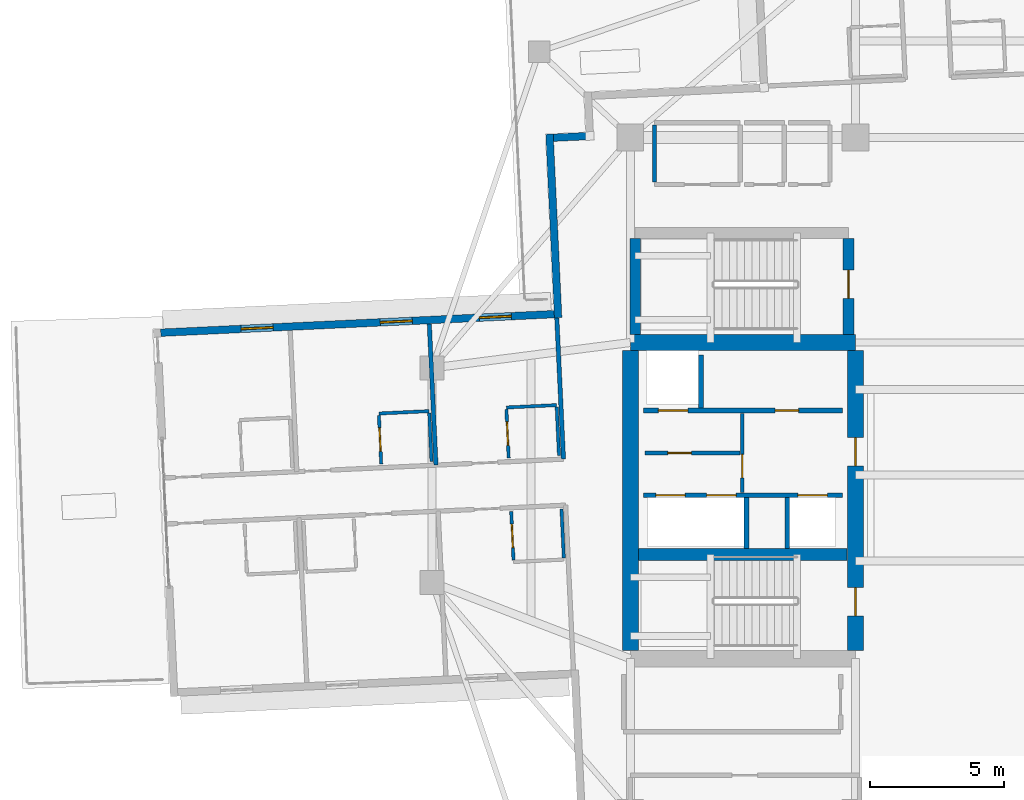
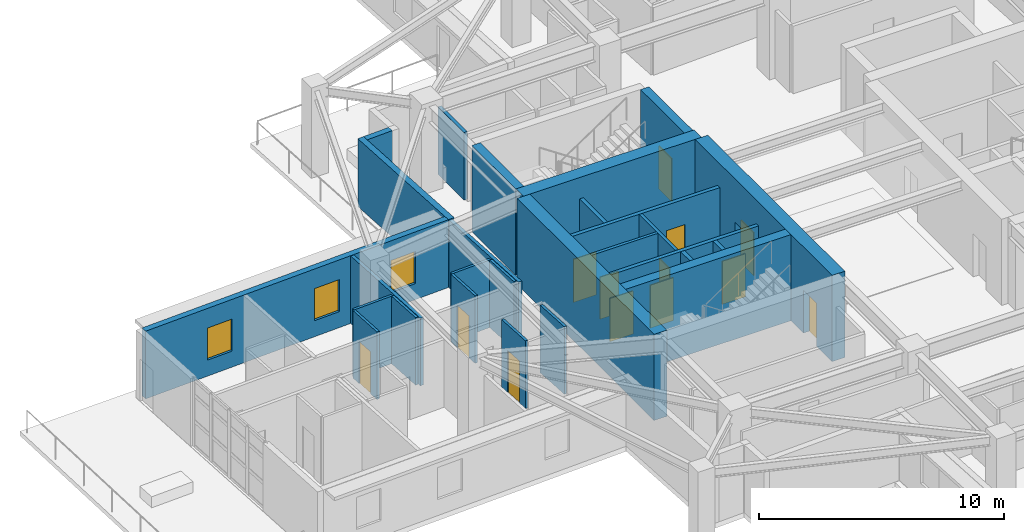
# One storey, part 13 of 22: 27 walls, 13 doors, 3 windows, 16 openings.
"""IFC4 building model written with IfcOpenShell, lengths in metres."""

from ifc_helpers import new_model, si_unit, direction, frame, frame_2d, origin, place, context, subcontext, project, spatial, rectangle, extrude, material, layer, layer_set, type_object, element, fill, save


model = new_model("IFC4")

# Units and contexts
model_context = context("Model", 3, precision=1e-05, world=origin(), true_north=direction((0.0, 1.0)))
body_context = subcontext(model_context, "Body", "Model", "MODEL_VIEW")
ifc_project = project(units=[si_unit("LENGTHUNIT", "METRE"), si_unit("AREAUNIT", "SQUARE_METRE"), si_unit("VOLUMEUNIT", "CUBIC_METRE"), si_unit("PLANEANGLEUNIT", "RADIAN"), si_unit("MASSUNIT", "GRAM", prefix="KILO")], contexts=[model_context])

# Site, building, storey
site_placement = place(None, origin())
site = spatial("IfcSite", under=ifc_project, at=site_placement, CompositionType="ELEMENT")
building_placement = place(site_placement, origin())
building = spatial("IfcBuilding", under=site, at=building_placement, Name="Qingluan Cross Belvedere", CompositionType="ELEMENT")
storey_placement = place(building_placement, frame((0.0, 0.0, 196.800048828125)))
storey = spatial("IfcBuildingStorey", under=building, at=storey_placement, Name="L49", CompositionType="ELEMENT", Elevation=196.800048828125)

# Walls
ifc_material_1 = material(Name="Concrete C50", Category="concrete")
ifc_layer_1 = layer(ifc_material_1, 0.449951171875, Name="CoreShearWall_450")
ifc_layer_set_1 = layer_set([ifc_layer_1], Name="Concrete C50")
wall_type_1 = type_object("IfcWallType", Name="CoreShearWall_450", PredefinedType="SHEAR", material=ifc_layer_set_1)
wall_1_placement = place(storey_placement, frame((-12.094970703125, -2.9599609375, 0.0), z_axis=(0.0, 0.0, 1.0), x_axis=(1.0, 0.0, 0.0)))
element("IfcWall", 1, at=wall_1_placement, inside=storey, type_object=wall_type_1, Name="Split core W shear wall L49-M", PredefinedType="SHEAR", context=body_context, shape_type="SweptSolid", body=[
    extrude(rectangle(XDim=7.7900390625, YDim=0.449951171875, at=frame_2d((3.89501953125, 0.0))), origin(), (0.0, 0.0, 1.0), 4.300048828125),
])
wall_2_placement = place(storey_placement, frame((-12.219970703125, 5.2548828125, 0.0), z_axis=(0.0, 0.0, 1.0), x_axis=(0.0, 1.0, 0.0)))
element("IfcWall", 2, at=wall_2_placement, inside=storey, type_object=wall_type_1, Name="Stair ST3 structural wall W L49", PredefinedType="SHEAR", context=body_context, shape_type="SweptSolid", body=[
    extrude(rectangle(XDim=3.580078125, YDim=0.39990234375, at=frame_2d((1.7900390625, 0.0))), origin(), (0.0, 0.0, 1.0), 4.300048828125),
])

# Wall, opening, door
wall_3_placement = place(storey_placement, frame((-4.260009765625, 5.2548828125, 0.0), z_axis=(0.0, 0.0, 1.0), x_axis=(0.0, 1.0, 0.0)))
wall_3 = element("IfcWall", 3, at=wall_3_placement, inside=storey, type_object=wall_type_1, Name="Stair ST3 structural wall E L49", PredefinedType="SHEAR", context=body_context, shape_type="SweptSolid", body=[
    extrude(rectangle(XDim=3.580078125, YDim=0.39990234375, at=frame_2d((1.7900390625, 0.0))), origin(), (0.0, 0.0, 1.0), 4.300048828125),
])
opening_1_placement = place(wall_3_placement, frame((1.344970703125, 0.0, 0.0)))
opening_1 = element("IfcOpeningElement", 4, at=opening_1_placement, cuts=wall_3, Name="Opening FD-B11", PredefinedType="OPENING", context=body_context, shape_type="SweptSolid", body=[
    extrude(rectangle(XDim=1.050048828125, YDim=2.14990234375, at=frame_2d((0.52490234375, 1.074951171875))), frame((0.0, 0.2099609375, 0.0), z_axis=(0.0, -1.0, 0.0), x_axis=(1.0, 0.0, 0.0)), (0.0, 0.0, 1.0), 0.419921875),
])
ifc_material_2 = material(Name="Steel Class B smoke-seal fire door", Category="steel")
door_type_1 = type_object("IfcDoorType", Name="StairLobbyFireDoor_FDB", OperationType="NOTDEFINED", PredefinedType="DOOR", material=ifc_material_2)
door_1_placement = place(opening_1_placement, origin())
door_1 = element("IfcDoor", 5, at=door_1_placement, inside=storey, type_object=door_type_1, Name="Smoke-proof stair ST3 fire door L49", OperationType="SINGLE_SWING_LEFT", OverallHeight=2.14990234375, OverallWidth=1.050048828125, PredefinedType="DOOR", context=body_context, shape_type="SweptSolid", body=[
    extrude(rectangle(XDim=1.050048828125, YDim=2.14990234375, at=frame_2d((0.52490234375, 1.074951171875))), frame((0.0, 0.02490234375, 0.0), z_axis=(0.0, -1.0, 0.0), x_axis=(1.0, 0.0, 0.0)), (0.0, 0.0, 1.0), 0.050048828125),
])
fill(opening_1, door_1)

# Walls
ifc_material_3 = material(Name="Concrete C60", Category="concrete")
ifc_layer_2 = layer(ifc_material_3, 0.60009765625, Name="CoreShearWall_600")
ifc_layer_set_2 = layer_set([ifc_layer_2], Name="Concrete C60")
wall_type_2 = type_object("IfcWallType", Name="CoreShearWall_600", PredefinedType="SHEAR", material=ifc_layer_set_2)
wall_4_placement = place(storey_placement, frame((-12.39990234375, 4.949951171875, 0.0), z_axis=(0.0, 0.0, 1.0), x_axis=(1.0, 0.0, 0.0)))
element("IfcWall", 6, at=wall_4_placement, inside=storey, type_object=wall_type_2, Name="Split core W shear wall L49-N", PredefinedType="SHEAR", context=body_context, shape_type="SweptSolid", body=[
    extrude(rectangle(XDim=8.39990234375, YDim=0.60009765625, at=frame_2d((4.199951171875, 0.0))), origin(), (0.0, 0.0, 1.0), 4.300048828125),
])
wall_5_placement = place(storey_placement, frame((-12.39990234375, -6.544921875, 0.0), z_axis=(0.0, 0.0, 1.0), x_axis=(0.0, 1.0, 0.0)))
element("IfcWall", 7, at=wall_5_placement, inside=storey, type_object=wall_type_2, Name="Split core W shear wall L49-W", PredefinedType="SHEAR", context=body_context, shape_type="SweptSolid", body=[
    extrude(rectangle(XDim=11.18994140625, YDim=0.60009765625, at=frame_2d((5.594970703125, 0.0))), origin(), (0.0, 0.0, 1.0), 4.300048828125),
])

# Wall, openings, doors
wall_6_placement = place(storey_placement, frame((-4.0, -6.544921875, 0.0), z_axis=(0.0, 0.0, 1.0), x_axis=(0.0, 1.0, 0.0)))
wall_6 = element("IfcWall", 8, at=wall_6_placement, inside=storey, type_object=wall_type_2, Name="Split core W shear wall L49-E", PredefinedType="SHEAR", context=body_context, shape_type="SweptSolid", body=[
    extrude(rectangle(XDim=11.18994140625, YDim=0.60009765625, at=frame_2d((5.594970703125, 0.0))), origin(), (0.0, 0.0, 1.0), 4.300048828125),
])
opening_2_placement = place(wall_6_placement, frame((1.294921875, 0.0, 0.0)))
opening_2 = element("IfcOpeningElement", 9, at=opening_2_placement, cuts=wall_6, Name="Opening FD-B11", PredefinedType="OPENING", context=body_context, shape_type="SweptSolid", body=[
    extrude(rectangle(XDim=1.050048828125, YDim=2.14990234375, at=frame_2d((0.52490234375, 1.074951171875))), frame((0.0, 0.31005859375, 0.0), z_axis=(0.0, -1.0, 0.0), x_axis=(1.0, 0.0, 0.0)), (0.0, 0.0, 1.0), 0.6201171875),
])
opening_3_placement = place(wall_6_placement, frame((6.89501953125, 0.0, 0.0)))
opening_3 = element("IfcOpeningElement", 10, at=opening_3_placement, cuts=wall_6, Name="Opening FD-B11", PredefinedType="OPENING", context=body_context, shape_type="SweptSolid", body=[
    extrude(rectangle(XDim=1.050048828125, YDim=2.14990234375, at=frame_2d((0.52490234375, 1.074951171875))), frame((0.0, 0.31005859375, 0.0), z_axis=(0.0, -1.0, 0.0), x_axis=(1.0, 0.0, 0.0)), (0.0, 0.0, 1.0), 0.6201171875),
])
door_2_placement = place(opening_2_placement, origin())
door_2 = element("IfcDoor", 11, at=door_2_placement, inside=storey, type_object=door_type_1, Name="Smoke-proof stair ST1 fire door L49", OperationType="SINGLE_SWING_LEFT", OverallHeight=2.14990234375, OverallWidth=1.050048828125, PredefinedType="DOOR", context=body_context, shape_type="SweptSolid", body=[
    extrude(rectangle(XDim=1.050048828125, YDim=2.14990234375, at=frame_2d((0.52490234375, 1.074951171875))), frame((0.0, 0.02490234375, 0.0), z_axis=(0.0, -1.0, 0.0), x_axis=(1.0, 0.0, 0.0)), (0.0, 0.0, 1.0), 0.050048828125),
])
fill(opening_2, door_2)
door_3_placement = place(opening_3_placement, origin())
door_3 = element("IfcDoor", 12, at=door_3_placement, inside=storey, type_object=door_type_1, Name="Firefighting lobby West fire door L49", OperationType="SINGLE_SWING_LEFT", OverallHeight=2.14990234375, OverallWidth=1.050048828125, PredefinedType="DOOR", context=body_context, shape_type="SweptSolid", body=[
    extrude(rectangle(XDim=1.050048828125, YDim=2.14990234375, at=frame_2d((0.52490234375, 1.074951171875))), frame((0.0, 0.02490234375, 0.0), z_axis=(0.0, -1.0, 0.0), x_axis=(1.0, 0.0, 0.0)), (0.0, 0.0, 1.0), 0.050048828125),
])
fill(opening_3, door_3)

# Wall, opening, door
ifc_material_4 = material(Name="Gypsum plasterboard on steel stud acoustic partition", Category="steel")
ifc_layer_3 = layer(ifc_material_4, 0.159912109375, Name="CorridorPartition_160")
ifc_layer_set_3 = layer_set([ifc_layer_3], Name="Gypsum plasterboard on steel stud acoustic partition")
wall_type_3 = type_object("IfcWallType", Name="CorridorPartition_160", PredefinedType="PARTITIONING", material=ifc_layer_set_3)
wall_7_placement = place(storey_placement, frame((-11.85009765625, 0.830078125, 0.0), z_axis=(0.0, 0.0, 1.0), x_axis=(1.0, 0.0, 0.0)))
wall_7 = element("IfcWall", 13, at=wall_7_placement, inside=storey, type_object=wall_type_3, Name="Partition L49:w", PredefinedType="PARTITIONING", context=body_context, shape_type="SweptSolid", body=[
    extrude(rectangle(XDim=3.552001953125, YDim=0.139892578125, at=frame_2d((1.77587890625, 0.0))), origin(), (0.0, 0.0, 1.0), 3.369873046875),
])
opening_4_placement = place(wall_7_placement, frame((0.85009765625, 0.0, 0.0)))
opening_4 = element("IfcOpeningElement", 14, at=opening_4_placement, cuts=wall_7, Name="Opening FD-B10", PredefinedType="OPENING", context=body_context, shape_type="SweptSolid", body=[
    extrude(rectangle(XDim=0.8798828125, YDim=2.10009765625, at=frame_2d((0.43994140625, 1.050048828125))), frame((0.0, 0.079833984375, 0.0), z_axis=(0.0, -1.0, 0.0), x_axis=(1.0, 0.0, 0.0)), (0.0, 0.0, 1.0), 0.159912109375),
])
ifc_material_5 = material(Name="Steel Class B service fire door", Category="steel")
door_type_2 = type_object("IfcDoorType", Name="RiserServiceFireDoor_FDB", OperationType="NOTDEFINED", PredefinedType="DOOR", material=ifc_material_5)
door_4_placement = place(opening_4_placement, origin())
door_4 = element("IfcDoor", 15, at=door_4_placement, inside=storey, type_object=door_type_2, Name="Service closet inner door L49", OperationType="SINGLE_SWING_RIGHT", OverallHeight=2.10009765625, OverallWidth=0.8798828125, PredefinedType="DOOR", context=body_context, shape_type="SweptSolid", body=[
    extrude(rectangle(XDim=0.8798828125, YDim=2.10009765625, at=frame_2d((0.43994140625, 1.050048828125))), frame((0.0, 0.02490234375, 0.0), z_axis=(0.0, -1.0, 0.0), x_axis=(1.0, 0.0, 0.0)), (0.0, 0.0, 1.0), 0.050048828125),
])
fill(opening_4, door_4)

# Walls
wall_8_placement = place(storey_placement, frame((-11.5, 10.93505859375, 0.0), z_axis=(0.0, 0.0, 1.0), x_axis=(0.0, 1.0, 0.0)))
element("IfcWall", 16, at=wall_8_placement, inside=storey, type_object=wall_type_3, Name="Partition L49:q_nw_occ:W", PredefinedType="PARTITIONING", context=body_context, shape_type="SweptSolid", body=[
    extrude(rectangle(XDim=2.1298828125, YDim=0.159912109375, at=frame_2d((1.06494140625, 0.0))), origin(), (0.0, 0.0, 1.0), 3.369873046875),
])
for number, where, z_axis, x_axis, name in (
    (17, (-14.894775390625, 0.59912109375, 0.0), (0.0, 0.0, 1.0), (-0.047096498845, 0.99889034423, 0.0), "Partition L49:W:s0"),
    (18, (-19.652587890625, 0.374755859375, 0.0), (0.0, 0.0, 1.0), (-0.047096498845, 0.99889034423, 0.0), "Partition L49:W:d0_0"),
):
    element("IfcWall", number, at=place(storey_placement, frame(where, z_axis=z_axis, x_axis=x_axis)), inside=storey, type_object=wall_type_3, Name=name, PredefinedType="PARTITIONING", context=body_context, shape_type="SweptSolid", body=[
        extrude(rectangle(XDim=5.27197265625, YDim=0.159912109375, at=frame_2d((2.635986328125, 0.0))), origin(), (0.0, 0.0, 1.0), 3.369873046875),
    ])

# Wall, opening, door
ifc_material_6 = material(Name="Moisture-resistant gypsum board lining")
ifc_layer_4 = layer(ifc_material_6, 0.1201171875, Name="EnsuiteWetPartition_120")
ifc_layer_set_4 = layer_set([ifc_layer_4], Name="Moisture-resistant gypsum board lining")
wall_type_4 = type_object("IfcWallType", Name="EnsuiteWetPartition_120", PredefinedType="PARTITIONING", material=ifc_layer_set_4)
wall_9_placement = place(storey_placement, frame((-16.939208984375, 0.642822265625, 0.0), z_axis=(0.0, 0.0, 1.0), x_axis=(-0.047087116047, 0.998890786574, 0.0)))
wall_9 = element("IfcWall", 19, at=wall_9_placement, inside=storey, type_object=wall_type_4, Name="Partition L49:W:bs0_0", PredefinedType="PARTITIONING", context=body_context, shape_type="SweptSolid", body=[
    extrude(rectangle(XDim=1.81982421875, YDim=0.1201171875, at=frame_2d((0.909912109375, 0.0))), origin(), (0.0, 0.0, 1.0), 3.369873046875),
])
opening_5_placement = place(wall_9_placement, frame((0.469970703125, 0.0, 0.0)))
opening_5 = element("IfcOpeningElement", 20, at=opening_5_placement, cuts=wall_9, Name="Opening BD-09", PredefinedType="OPENING", context=body_context, shape_type="SweptSolid", body=[
    extrude(rectangle(XDim=0.8798828125, YDim=2.10009765625, at=frame_2d((0.43994140625, 1.050048828125))), frame((0.0, 0.070068359375, 0.0), z_axis=(0.0, -1.0, 0.0), x_axis=(1.0, 0.0, 0.0)), (0.0, 0.0, 1.0), 0.14013671875),
])
ifc_material_7 = material(Name="Moisture-sealed timber en-suite door", Category="wood")
door_type_3 = type_object("IfcDoorType", Name="BathroomDoor_880", OperationType="NOTDEFINED", PredefinedType="DOOR", material=ifc_material_7)
door_5_placement = place(opening_5_placement, origin())
door_5 = element("IfcDoor", 21, at=door_5_placement, inside=storey, type_object=door_type_3, Name="Bathroom door 4907", OperationType="SINGLE_SWING_LEFT", OverallHeight=2.10009765625, OverallWidth=0.8798828125, PredefinedType="DOOR", context=body_context, shape_type="SweptSolid", body=[
    extrude(rectangle(XDim=0.8798828125, YDim=2.10009765625, at=frame_2d((0.43994140625, 1.050048828125))), frame((0.0, 0.02490234375, 0.0), z_axis=(0.0, -1.0, 0.0), x_axis=(1.0, 0.0, 0.0)), (0.0, 0.0, 1.0), 0.050048828125),
])
fill(opening_5, door_5)

# Walls
wall_10_placement = place(storey_placement, frame((-15.061279296875, 0.731201171875, 0.0), z_axis=(0.0, 0.0, 1.0), x_axis=(-0.047080807099, 0.998891083954, 0.0)))
element("IfcWall", 22, at=wall_10_placement, inside=storey, type_object=wall_type_4, Name="Partition L49:W:bw0_0", PredefinedType="PARTITIONING", context=body_context, shape_type="SweptSolid", body=[
    extrude(rectangle(XDim=1.820068359375, YDim=0.1201171875, at=frame_2d((0.91015625, 0.0))), origin(), (0.0, 0.0, 1.0), 3.369873046875),
])
wall_11_placement = place(storey_placement, frame((-15.14990234375, 2.6142578125, 0.0), z_axis=(0.0, 0.0, 1.0), x_axis=(-0.998888319371, -0.047139425368, 0.0)))
element("IfcWall", 23, at=wall_11_placement, inside=storey, type_object=wall_type_4, Name="Partition L49:W:bn0_0", PredefinedType="PARTITIONING", context=body_context, shape_type="SweptSolid", body=[
    extrude(rectangle(XDim=1.880126953125, YDim=0.1201171875, at=frame_2d((0.93994140625, 0.0))), origin(), (0.0, 0.0, 1.0), 3.369873046875),
])

# Wall, opening, door
wall_12_placement = place(storey_placement, frame((-21.69677734375, 0.41845703125, 0.0), z_axis=(0.0, 0.0, 1.0), x_axis=(-0.047087116047, 0.998890786574, 0.0)))
wall_12 = element("IfcWall", 24, at=wall_12_placement, inside=storey, type_object=wall_type_4, Name="Partition L49:W:bs0_1", PredefinedType="PARTITIONING", context=body_context, shape_type="SweptSolid", body=[
    extrude(rectangle(XDim=1.81982421875, YDim=0.1201171875, at=frame_2d((0.909912109375, 0.0))), origin(), (0.0, 0.0, 1.0), 3.369873046875),
])
opening_6_placement = place(wall_12_placement, frame((0.469970703125, 0.0, 0.0)))
opening_6 = element("IfcOpeningElement", 25, at=opening_6_placement, cuts=wall_12, Name="Opening BD-09", PredefinedType="OPENING", context=body_context, shape_type="SweptSolid", body=[
    extrude(rectangle(XDim=0.8798828125, YDim=2.10009765625, at=frame_2d((0.43994140625, 1.050048828125))), frame((0.0, 0.070068359375, 0.0), z_axis=(0.0, -1.0, 0.0), x_axis=(1.0, 0.0, 0.0)), (0.0, 0.0, 1.0), 0.14013671875),
])
door_6_placement = place(opening_6_placement, origin())
door_6 = element("IfcDoor", 26, at=door_6_placement, inside=storey, type_object=door_type_3, Name="Bathroom door 4908", OperationType="SINGLE_SWING_LEFT", OverallHeight=2.10009765625, OverallWidth=0.8798828125, PredefinedType="DOOR", context=body_context, shape_type="SweptSolid", body=[
    extrude(rectangle(XDim=0.8798828125, YDim=2.10009765625, at=frame_2d((0.43994140625, 1.050048828125))), frame((0.0, 0.02490234375, 0.0), z_axis=(0.0, -1.0, 0.0), x_axis=(1.0, 0.0, 0.0)), (0.0, 0.0, 1.0), 0.050048828125),
])
fill(opening_6, door_6)

# Walls
wall_13_placement = place(storey_placement, frame((-19.81884765625, 0.507080078125, 0.0), z_axis=(0.0, 0.0, 1.0), x_axis=(-0.047087116047, 0.998890786574, 0.0)))
element("IfcWall", 27, at=wall_13_placement, inside=storey, type_object=wall_type_4, Name="Partition L49:W:bw0_1", PredefinedType="PARTITIONING", context=body_context, shape_type="SweptSolid", body=[
    extrude(rectangle(XDim=1.81982421875, YDim=0.1201171875, at=frame_2d((0.909912109375, 0.0))), origin(), (0.0, 0.0, 1.0), 3.369873046875),
])
wall_14_placement = place(storey_placement, frame((-19.90771484375, 2.389892578125, 0.0), z_axis=(0.0, 0.0, 1.0), x_axis=(-0.998888319371, -0.047139425368, 0.0)))
element("IfcWall", 28, at=wall_14_placement, inside=storey, type_object=wall_type_4, Name="Partition L49:W:bn0_1", PredefinedType="PARTITIONING", context=body_context, shape_type="SweptSolid", body=[
    extrude(rectangle(XDim=1.880126953125, YDim=0.1201171875, at=frame_2d((0.93994140625, 0.0))), origin(), (0.0, 0.0, 1.0), 3.369873046875),
])

# Wall, opening, door
wall_15_placement = place(storey_placement, frame((-16.759033203125, -3.173095703125, 0.0), z_axis=(0.0, 0.0, 1.0), x_axis=(-0.047214641863, 0.998884766924, 0.0)))
wall_15 = element("IfcWall", 29, at=wall_15_placement, inside=storey, type_object=wall_type_4, Name="Partition L49:W:bs1_0", PredefinedType="PARTITIONING", context=body_context, shape_type="SweptSolid", body=[
    extrude(rectangle(XDim=1.820068359375, YDim=0.1201171875, at=frame_2d((0.91015625, 0.0))), origin(), (0.0, 0.0, 1.0), 3.369873046875),
])
opening_7_placement = place(wall_15_placement, frame((0.469970703125, 0.0, 0.0)))
opening_7 = element("IfcOpeningElement", 30, at=opening_7_placement, cuts=wall_15, Name="Opening BD-09", PredefinedType="OPENING", context=body_context, shape_type="SweptSolid", body=[
    extrude(rectangle(XDim=0.8798828125, YDim=2.10009765625, at=frame_2d((0.43994140625, 1.050048828125))), frame((0.0, 0.070068359375, 0.0), z_axis=(0.0, -1.0, 0.0), x_axis=(1.0, 0.0, 0.0)), (0.0, 0.0, 1.0), 0.14013671875),
])
door_7_placement = place(opening_7_placement, origin())
door_7 = element("IfcDoor", 31, at=door_7_placement, inside=storey, type_object=door_type_3, Name="Bathroom door 4910", OperationType="SINGLE_SWING_LEFT", OverallHeight=2.10009765625, OverallWidth=0.8798828125, PredefinedType="DOOR", context=body_context, shape_type="SweptSolid", body=[
    extrude(rectangle(XDim=0.8798828125, YDim=2.10009765625, at=frame_2d((0.43994140625, 1.050048828125))), frame((0.0, 0.02490234375, 0.0), z_axis=(0.0, -1.0, 0.0), x_axis=(1.0, 0.0, 0.0)), (0.0, 0.0, 1.0), 0.050048828125),
])
fill(opening_7, door_7)

# Wall
wall_16_placement = place(storey_placement, frame((-14.881103515625, -3.08447265625, 0.0), z_axis=(0.0, 0.0, 1.0), x_axis=(-0.047214641863, 0.998884766924, 0.0)))
element("IfcWall", 32, at=wall_16_placement, inside=storey, type_object=wall_type_4, Name="Partition L49:W:bw1_0", PredefinedType="PARTITIONING", context=body_context, shape_type="SweptSolid", body=[
    extrude(rectangle(XDim=1.820068359375, YDim=0.1201171875, at=frame_2d((0.91015625, 0.0))), origin(), (0.0, 0.0, 1.0), 3.369873046875),
])

# Wall, openings, windows
ifc_material_8 = material(Name="Precast concrete C45", Category="concrete")
ifc_layer_5 = layer(ifc_material_8, 0.280029296875, Name="PrecastFacadeWall_280")
ifc_layer_set_5 = layer_set([ifc_layer_5], Name="Precast concrete C45")
wall_type_5 = type_object("IfcWallType", Name="PrecastFacadeWall_280", PredefinedType="STANDARD", material=ifc_layer_set_5)
wall_17_placement = place(storey_placement, frame((-15.239990234375, 6.0087890625, 0.0), z_axis=(0.0, 0.0, 1.0), x_axis=(-0.998890124275, -0.047101163748, 0.0)))
wall_17 = element("IfcWall", 33, at=wall_17_placement, inside=storey, type_object=wall_type_5, Name="Facade wall L49-WA", PredefinedType="STANDARD", context=body_context, shape_type="SweptSolid", body=[
    extrude(rectangle(XDim=14.699951171875, YDim=0.280029296875, at=frame_2d((7.35009765625, 0.0))), origin(), (0.0, 0.0, 1.0), 3.3798828125),
])
opening_8_placement = place(wall_17_placement, frame((1.60009765625, 0.0, 0.800048828125)))
opening_8 = element("IfcOpeningElement", 34, at=opening_8_placement, cuts=wall_17, Name="Opening W-02", PredefinedType="OPENING", context=body_context, shape_type="SweptSolid", body=[
    extrude(rectangle(XDim=1.199951171875, YDim=1.60009765625, at=frame_2d((0.60009765625, 0.800048828125))), frame((0.0, 0.14990234375, 0.0), z_axis=(0.0, -1.0, 0.0), x_axis=(1.0, 0.0, 0.0)), (0.0, 0.0, 1.0), 0.300048828125),
])
opening_9_placement = place(wall_17_placement, frame((5.300048828125, 0.0, 0.800048828125)))
opening_9 = element("IfcOpeningElement", 35, at=opening_9_placement, cuts=wall_17, Name="Opening W-02", PredefinedType="OPENING", context=body_context, shape_type="SweptSolid", body=[
    extrude(rectangle(XDim=1.199951171875, YDim=1.60009765625, at=frame_2d((0.60009765625, 0.800048828125))), frame((0.0, 0.14990234375, 0.0), z_axis=(0.0, -1.0, 0.0), x_axis=(1.0, 0.0, 0.0)), (0.0, 0.0, 1.0), 0.300048828125),
])
opening_10_placement = place(wall_17_placement, frame((10.5, 0.0, 0.800048828125)))
opening_10 = element("IfcOpeningElement", 36, at=opening_10_placement, cuts=wall_17, Name="Opening W-02", PredefinedType="OPENING", context=body_context, shape_type="SweptSolid", body=[
    extrude(rectangle(XDim=1.199951171875, YDim=1.60009765625, at=frame_2d((0.60009765625, 0.800048828125))), frame((0.0, 0.14990234375, 0.0), z_axis=(0.0, -1.0, 0.0), x_axis=(1.0, 0.0, 0.0)), (0.0, 0.0, 1.0), 0.300048828125),
])
ifc_material_9 = material(Name="Thermally broken triple Low-E glass in aluminium frame", Category="aluminium")
window_type = type_object("IfcWindowType", Name="TriRibbonWin_1200x1600", PartitioningType="SINGLE_PANEL", PredefinedType="WINDOW", material=ifc_material_9)
window_1_placement = place(opening_8_placement, origin())
window_1 = element("IfcWindow", 37, at=window_1_placement, inside=storey, type_object=window_type, Name="Ribbon window L49-WA-1", OverallHeight=1.60009765625, OverallWidth=1.199951171875, PartitioningType="SINGLE_PANEL", PredefinedType="WINDOW", context=body_context, shape_type="SweptSolid", body=[
    extrude(rectangle(XDim=1.199951171875, YDim=1.60009765625, at=frame_2d((0.60009765625, 0.800048828125))), frame((0.0, 0.030029296875, 0.0), z_axis=(0.0, -1.0, 0.0), x_axis=(1.0, 0.0, 0.0)), (0.0, 0.0, 1.0), 0.06005859375),
])
fill(opening_8, window_1)
window_2_placement = place(opening_9_placement, origin())
window_2 = element("IfcWindow", 38, at=window_2_placement, inside=storey, type_object=window_type, Name="Ribbon window L49-WA-2", OverallHeight=1.60009765625, OverallWidth=1.199951171875, PartitioningType="SINGLE_PANEL", PredefinedType="WINDOW", context=body_context, shape_type="SweptSolid", body=[
    extrude(rectangle(XDim=1.199951171875, YDim=1.60009765625, at=frame_2d((0.60009765625, 0.800048828125))), frame((0.0, 0.030029296875, 0.0), z_axis=(0.0, -1.0, 0.0), x_axis=(1.0, 0.0, 0.0)), (0.0, 0.0, 1.0), 0.06005859375),
])
fill(opening_9, window_2)
window_3_placement = place(opening_10_placement, origin())
window_3 = element("IfcWindow", 39, at=window_3_placement, inside=storey, type_object=window_type, Name="Ribbon window L49-WA-3", OverallHeight=1.60009765625, OverallWidth=1.199951171875, PartitioningType="SINGLE_PANEL", PredefinedType="WINDOW", context=body_context, shape_type="SweptSolid", body=[
    extrude(rectangle(XDim=1.199951171875, YDim=1.60009765625, at=frame_2d((0.60009765625, 0.800048828125))), frame((0.0, 0.030029296875, 0.0), z_axis=(0.0, -1.0, 0.0), x_axis=(1.0, 0.0, 0.0)), (0.0, 0.0, 1.0), 0.06005859375),
])
fill(opening_10, window_3)

# Walls
wall_18_placement = place(storey_placement, frame((-15.093505859375, 5.87548828125, 0.0), z_axis=(0.0, 0.0, 1.0), x_axis=(-0.04712043756, 0.998889215261, 0.0)))
element("IfcWall", 40, at=wall_18_placement, inside=storey, type_object=wall_type_5, Name="Corner wall L49-NW1", PredefinedType="STANDARD", context=body_context, shape_type="SweptSolid", body=[
    extrude(rectangle(XDim=6.85986328125, YDim=0.280029296875, at=frame_2d((3.429931640625, 0.0))), origin(), (0.0, 0.0, 1.0), 3.3798828125),
])
wall_19_placement = place(storey_placement, frame((-15.270263671875, 12.5947265625, 0.0), z_axis=(0.0, 0.0, 1.0), x_axis=(0.998893795343, 0.047023245574, 0.0)))
element("IfcWall", 41, at=wall_19_placement, inside=storey, type_object=wall_type_5, Name="Corner wall L49-NW2", PredefinedType="STANDARD", context=body_context, shape_type="SweptSolid", body=[
    extrude(rectangle(XDim=1.22021484375, YDim=0.280029296875, at=frame_2d((0.610107421875, 0.0))), origin(), (0.0, 0.0, 1.0), 3.3798828125),
])

# Wall, openings, doors
ifc_material_10 = material(Name="Concrete C40", Category="concrete")
ifc_layer_6 = layer(ifc_material_10, 0.219970703125, Name="ShaftEnclosureWall_250")
ifc_layer_set_6 = layer_set([ifc_layer_6], Name="Concrete C40")
wall_type_6 = type_object("IfcWallType", Name="ShaftEnclosureWall_250", PredefinedType="SOLIDWALL", material=ifc_layer_set_6)
wall_20_placement = place(storey_placement, frame((-11.89990234375, 2.409912109375, 0.0), z_axis=(0.0, 0.0, 1.0), x_axis=(1.0, 0.0, 0.0)))
wall_20 = element("IfcWall", 42, at=wall_20_placement, inside=storey, type_object=wall_type_6, Name="Core-W north hoistway wall L49", PredefinedType="SOLIDWALL", context=body_context, shape_type="SweptSolid", body=[
    extrude(rectangle(XDim=7.419921875, YDim=0.179931640625, at=frame_2d((3.7099609375, 0.0))), origin(), (0.0, 0.0, 1.0), 3.369873046875),
])
opening_11_placement = place(wall_20_placement, frame((0.550048828125, 0.0, 0.0)))
opening_11 = element("IfcOpeningElement", 43, at=opening_11_placement, cuts=wall_20, Name="Opening LD-11", PredefinedType="OPENING", context=body_context, shape_type="SweptSolid", body=[
    extrude(rectangle(XDim=1.10009765625, YDim=2.14990234375, at=frame_2d((0.550048828125, 1.074951171875))), frame((0.0, 0.099853515625, 0.0), z_axis=(0.0, -1.0, 0.0), x_axis=(1.0, 0.0, 0.0)), (0.0, 0.0, 1.0), 0.199951171875),
])
opening_12_placement = place(wall_20_placement, frame((4.89990234375, 0.0, 0.0)))
opening_12 = element("IfcOpeningElement", 44, at=opening_12_placement, cuts=wall_20, Name="Opening FD-B10", PredefinedType="OPENING", context=body_context, shape_type="SweptSolid", body=[
    extrude(rectangle(XDim=0.8798828125, YDim=2.10009765625, at=frame_2d((0.43994140625, 1.050048828125))), frame((0.0, 0.099853515625, 0.0), z_axis=(0.0, -1.0, 0.0), x_axis=(1.0, 0.0, 0.0)), (0.0, 0.0, 1.0), 0.199951171875),
])
ifc_material_11 = material(Name="Brushed stainless steel centre-opening lift landing door", Category="steel")
door_type_4 = type_object("IfcDoorType", Name="LiftLandingSlidingDoor_1100", OperationType="DOUBLE_DOOR_SLIDING", PredefinedType="DOOR", material=ifc_material_11)
door_8_placement = place(opening_11_placement, origin())
door_8 = element("IfcDoor", 45, at=door_8_placement, inside=storey, type_object=door_type_4, Name="Lift landing sliding door FL1 L49", OperationType="DOUBLE_DOOR_SLIDING", OverallHeight=2.14990234375, OverallWidth=1.10009765625, PredefinedType="DOOR", context=body_context, shape_type="SweptSolid", body=[
    extrude(rectangle(XDim=1.10009765625, YDim=2.14990234375, at=frame_2d((0.550048828125, 1.074951171875))), frame((0.0, 0.02490234375, 0.0), z_axis=(0.0, -1.0, 0.0), x_axis=(1.0, 0.0, 0.0)), (0.0, 0.0, 1.0), 0.050048828125),
])
fill(opening_11, door_8)
door_9_placement = place(opening_12_placement, origin())
door_9 = element("IfcDoor", 46, at=door_9_placement, inside=storey, type_object=door_type_2, Name="Housekeeping supply room door W L49", OperationType="SINGLE_SWING_RIGHT", OverallHeight=2.10009765625, OverallWidth=0.8798828125, PredefinedType="DOOR", context=body_context, shape_type="SweptSolid", body=[
    extrude(rectangle(XDim=0.8798828125, YDim=2.10009765625, at=frame_2d((0.43994140625, 1.050048828125))), frame((0.0, 0.02490234375, 0.0), z_axis=(0.0, -1.0, 0.0), x_axis=(1.0, 0.0, 0.0)), (0.0, 0.0, 1.0), 0.050048828125),
])
fill(opening_12, door_9)

wall_21_placement = place(storey_placement, frame((-11.89990234375, -0.75, 0.0), z_axis=(0.0, 0.0, 1.0), x_axis=(1.0, 0.0, 0.0)))
wall_21 = element("IfcWall", 47, at=wall_21_placement, inside=storey, type_object=wall_type_6, Name="Core-W mid hoistway wall L49", PredefinedType="SOLIDWALL", context=body_context, shape_type="SweptSolid", body=[
    extrude(rectangle(XDim=7.419921875, YDim=0.179931640625, at=frame_2d((3.7099609375, 0.0))), origin(), (0.0, 0.0, 1.0), 3.369873046875),
])
opening_13_placement = place(wall_21_placement, frame((0.449951171875, 0.0, 0.0)))
opening_13 = element("IfcOpeningElement", 48, at=opening_13_placement, cuts=wall_21, Name="Opening LD-11", PredefinedType="OPENING", context=body_context, shape_type="SweptSolid", body=[
    extrude(rectangle(XDim=1.10009765625, YDim=2.14990234375, at=frame_2d((0.550048828125, 1.074951171875))), frame((0.0, 0.099853515625, 0.0), z_axis=(0.0, -1.0, 0.0), x_axis=(1.0, 0.0, 0.0)), (0.0, 0.0, 1.0), 0.199951171875),
])
opening_14_placement = place(wall_21_placement, frame((2.35009765625, 0.0, 0.0)))
opening_14 = element("IfcOpeningElement", 49, at=opening_14_placement, cuts=wall_21, Name="Opening LD-11", PredefinedType="OPENING", context=body_context, shape_type="SweptSolid", body=[
    extrude(rectangle(XDim=1.10009765625, YDim=2.14990234375, at=frame_2d((0.550048828125, 1.074951171875))), frame((0.0, 0.099853515625, 0.0), z_axis=(0.0, -1.0, 0.0), x_axis=(1.0, 0.0, 0.0)), (0.0, 0.0, 1.0), 0.199951171875),
])
opening_15_placement = place(wall_21_placement, frame((5.75, 0.0, 0.0)))
opening_15 = element("IfcOpeningElement", 50, at=opening_15_placement, cuts=wall_21, Name="Opening LD-11", PredefinedType="OPENING", context=body_context, shape_type="SweptSolid", body=[
    extrude(rectangle(XDim=1.10009765625, YDim=2.14990234375, at=frame_2d((0.550048828125, 1.074951171875))), frame((0.0, 0.099853515625, 0.0), z_axis=(0.0, -1.0, 0.0), x_axis=(1.0, 0.0, 0.0)), (0.0, 0.0, 1.0), 0.199951171875),
])
door_10_placement = place(opening_13_placement, origin())
door_10 = element("IfcDoor", 51, at=door_10_placement, inside=storey, type_object=door_type_4, Name="Lift landing sliding door LP5 L49", OperationType="DOUBLE_DOOR_SLIDING", OverallHeight=2.14990234375, OverallWidth=1.10009765625, PredefinedType="DOOR", context=body_context, shape_type="SweptSolid", body=[
    extrude(rectangle(XDim=1.10009765625, YDim=2.14990234375, at=frame_2d((0.550048828125, 1.074951171875))), frame((0.0, 0.02490234375, 0.0), z_axis=(0.0, -1.0, 0.0), x_axis=(1.0, 0.0, 0.0)), (0.0, 0.0, 1.0), 0.050048828125),
])
fill(opening_13, door_10)
door_11_placement = place(opening_14_placement, origin())
door_11 = element("IfcDoor", 52, at=door_11_placement, inside=storey, type_object=door_type_4, Name="Lift landing sliding door LP6 L49", OperationType="DOUBLE_DOOR_SLIDING", OverallHeight=2.14990234375, OverallWidth=1.10009765625, PredefinedType="DOOR", context=body_context, shape_type="SweptSolid", body=[
    extrude(rectangle(XDim=1.10009765625, YDim=2.14990234375, at=frame_2d((0.550048828125, 1.074951171875))), frame((0.0, 0.02490234375, 0.0), z_axis=(0.0, -1.0, 0.0), x_axis=(1.0, 0.0, 0.0)), (0.0, 0.0, 1.0), 0.050048828125),
])
fill(opening_14, door_11)
door_12_placement = place(opening_15_placement, origin())
door_12 = element("IfcDoor", 53, at=door_12_placement, inside=storey, type_object=door_type_4, Name="Lift landing sliding door LP8 L49", OperationType="DOUBLE_DOOR_SLIDING", OverallHeight=2.14990234375, OverallWidth=1.10009765625, PredefinedType="DOOR", context=body_context, shape_type="SweptSolid", body=[
    extrude(rectangle(XDim=1.10009765625, YDim=2.14990234375, at=frame_2d((0.550048828125, 1.074951171875))), frame((0.0, 0.02490234375, 0.0), z_axis=(0.0, -1.0, 0.0), x_axis=(1.0, 0.0, 0.0)), (0.0, 0.0, 1.0), 0.050048828125),
])
fill(opening_15, door_12)

# Walls
wall_22_placement = place(storey_placement, frame((-9.760009765625, 2.5, 0.0), z_axis=(0.0, 0.0, 1.0), x_axis=(0.0, 1.0, 0.0)))
element("IfcWall", 54, at=wall_22_placement, inside=storey, type_object=wall_type_6, Name="Hoistway enclosure divider FL1E L49", PredefinedType="SOLIDWALL", context=body_context, shape_type="SweptSolid", body=[
    extrude(rectangle(XDim=1.989990234375, YDim=0.179931640625, at=frame_2d((0.9951171875, 0.0))), origin(), (0.0, 0.0, 1.0), 3.369873046875),
])
for number, where, z_axis, x_axis, name in (
    (55, (-8.06005859375, -2.72998046875, 0.0), (0.0, 0.0, 1.0), (0.0, 1.0, 0.0), "Hoistway enclosure divider LP6E L49"),
    (56, (-6.5400390625, -2.72998046875, 0.0), (0.0, 0.0, 1.0), (0.0, 1.0, 0.0), "Hoistway enclosure divider LP8W L49"),
):
    element("IfcWall", number, at=place(storey_placement, frame(where, z_axis=z_axis, x_axis=x_axis)), inside=storey, type_object=wall_type_6, Name=name, PredefinedType="SOLIDWALL", context=body_context, shape_type="SweptSolid", body=[
        extrude(rectangle(XDim=1.889892578125, YDim=0.179931640625, at=frame_2d((0.94482421875, 0.0))), origin(), (0.0, 0.0, 1.0), 3.369873046875),
    ])

# Wall, opening, door
wall_23_placement = place(storey_placement, frame((-8.219970703125, -0.64990234375, 0.0), z_axis=(0.0, 0.0, 1.0), x_axis=(0.0, 1.0, 0.0)))
wall_23 = element("IfcWall", 57, at=wall_23_placement, inside=storey, type_object=wall_type_6, Name="Core-W service corridor wall L49", PredefinedType="SOLIDWALL", context=body_context, shape_type="SweptSolid", body=[
    extrude(rectangle(XDim=2.9599609375, YDim=0.139892578125, at=frame_2d((1.47998046875, 0.0))), origin(), (0.0, 0.0, 1.0), 3.369873046875),
])
opening_16_placement = place(wall_23_placement, frame((0.550048828125, 0.0, 0.0)))
opening_16 = element("IfcOpeningElement", 58, at=opening_16_placement, cuts=wall_23, Name="Opening FD-B10", PredefinedType="OPENING", context=body_context, shape_type="SweptSolid", body=[
    extrude(rectangle(XDim=0.8798828125, YDim=2.10009765625, at=frame_2d((0.43994140625, 1.050048828125))), frame((0.0, 0.079833984375, 0.0), z_axis=(0.0, -1.0, 0.0), x_axis=(1.0, 0.0, 0.0)), (0.0, 0.0, 1.0), 0.159912109375),
])
door_13_placement = place(opening_16_placement, origin())
door_13 = element("IfcDoor", 59, at=door_13_placement, inside=storey, type_object=door_type_2, Name="Core-W service room door L49", OperationType="SINGLE_SWING_RIGHT", OverallHeight=2.10009765625, OverallWidth=0.8798828125, PredefinedType="DOOR", context=body_context, shape_type="SweptSolid", body=[
    extrude(rectangle(XDim=0.8798828125, YDim=2.10009765625, at=frame_2d((0.43994140625, 1.050048828125))), frame((0.0, 0.02490234375, 0.0), z_axis=(0.0, -1.0, 0.0), x_axis=(1.0, 0.0, 0.0)), (0.0, 0.0, 1.0), 0.050048828125),
])
fill(opening_16, door_13)

save(model, "model.ifc")
